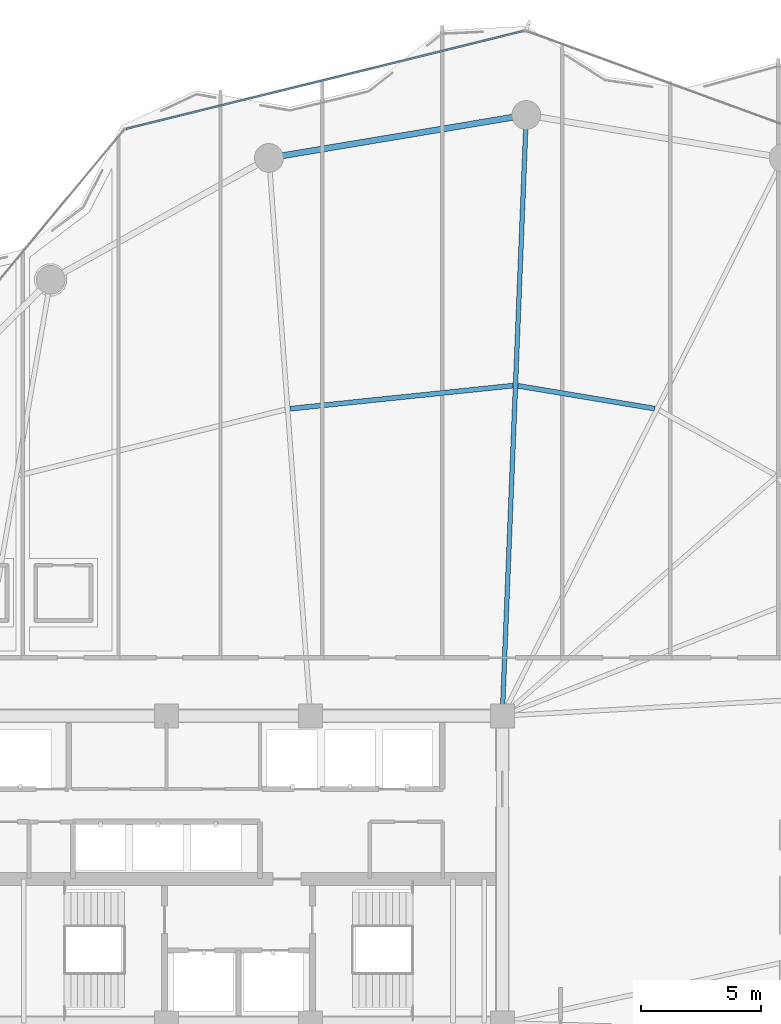
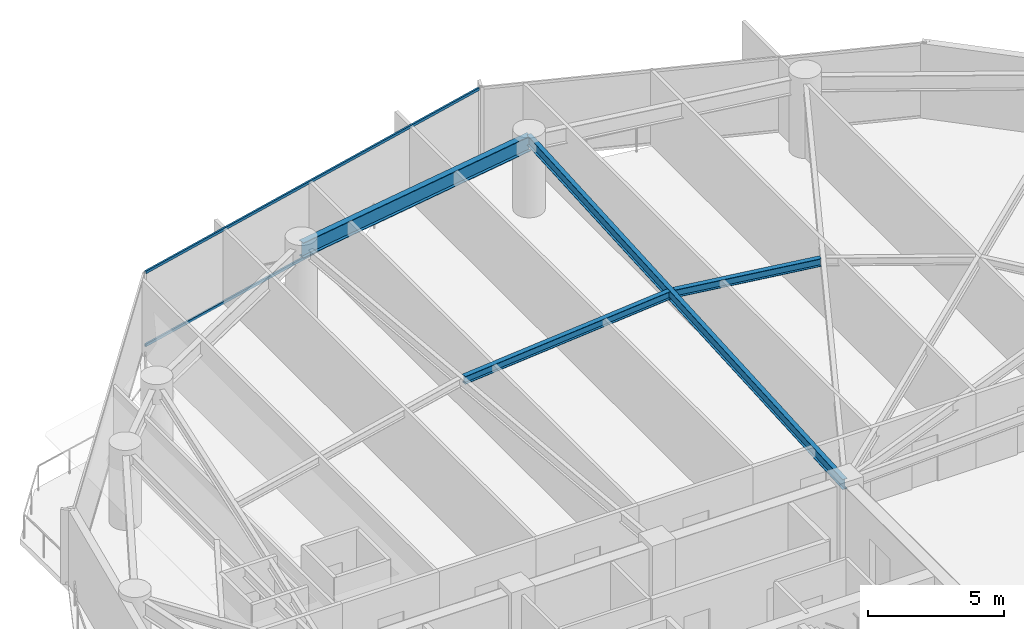
# One storey, part 18 of 28: 4 beams, 2 members, 1 element without a shape of its own.
"""IFC4 building model written with IfcOpenShell, lengths in metres."""

from ifc_helpers import new_model, si_unit, direction, frame, origin, origin_2d, place, context, subcontext, project, spatial, hollow_rectangle, i_section, extrude, material, layer, layer_set, material_profile, profile_set, type_object, element, aggregate, save


model = new_model("IFC4")

# Units and contexts
model_context = context("Model", 3, precision=1e-05, world=origin(), true_north=direction((0.0, 1.0)))
body_context = subcontext(model_context, "Body", "Model", "MODEL_VIEW")
ifc_project = project(units=[si_unit("LENGTHUNIT", "METRE"), si_unit("AREAUNIT", "SQUARE_METRE"), si_unit("VOLUMEUNIT", "CUBIC_METRE"), si_unit("PLANEANGLEUNIT", "RADIAN"), si_unit("MASSUNIT", "GRAM", prefix="KILO")], contexts=[model_context])

# Site, building, storey
site_placement = place(None, origin())
site = spatial("IfcSite", under=ifc_project, at=site_placement, CompositionType="ELEMENT")
building_placement = place(site_placement, origin())
building = spatial("IfcBuilding", under=site, at=building_placement, Name="Kazevale Care Tower and Concert Hall", CompositionType="ELEMENT")
storey_placement = place(building_placement, frame((0.0, 0.0, 106.199951171875)))
storey = spatial("IfcBuildingStorey", under=building, at=storey_placement, Name="L27", CompositionType="ELEMENT", Elevation=106.199951171875)

# Curtain wall, members
ifc_material_1 = material(Name="Aluminium 6063-T6 and Low-E Glass", Category="aluminium")
ifc_layer = layer(ifc_material_1, 0.179931640625)
ifc_layer_set = layer_set([ifc_layer], Name="Aluminium 6063-T6 and Low-E Glass")
curtain_wall_type = type_object("IfcCurtainWallType", Name="Convex Recessed Sunroom Curtain Wall CW-3", PredefinedType="NOTDEFINED", material=ifc_layer_set)
curtain_wall_placement = place(storey_placement, origin())
curtain_wall = element("IfcCurtainWall", 1, at=curtain_wall_placement, inside=storey, type_object=curtain_wall_type, Name="cw:L27:f15", PredefinedType="NOTDEFINED")
ifc_material_2 = material(Name="Aluminium 6063-T6", Category="aluminium")
ifc_material_profile_1 = material_profile(ifc_material_2, hollow_rectangle(XDim=0.074951171875, YDim=0.1201171875, WallThickness=0.00390625, at=origin_2d()), Name="ALU75x120x4")
ifc_profile_set_1 = profile_set([ifc_material_profile_1], Name="Aluminium 6063-T6")
member_type = type_object("IfcMemberType", Name="CW-3 Transom ALU75x120x4", PredefinedType="USERDEFINED", material=ifc_profile_set_1)
member_1_placement = place(storey_placement, frame((28.312744140625, 60.869873046875, 0.03759765625), z_axis=(0.970998321945, 0.239086299857, 0.0), x_axis=(-0.239086299857, 0.970998321945, 0.0)))
member_1 = element("IfcMember", 2, at=member_1_placement, type_object=member_type, Name="CW-3 transom 1.1", ObjectType="TRANSOM", PredefinedType="USERDEFINED", context=body_context, shape_type="SweptSolid", body=[
    extrude(hollow_rectangle(XDim=0.074951171875, YDim=0.1201171875, WallThickness=0.00390625, at=origin_2d()), origin(), (0.0, 0.0, 1.0), 17.061279296875),
])
member_2_placement = place(storey_placement, frame((28.312744140625, 60.869873046875, 3.322509765625), z_axis=(0.970998321945, 0.239086299857, 0.0), x_axis=(-0.239086299857, 0.970998321945, 0.0)))
member_2 = element("IfcMember", 3, at=member_2_placement, type_object=member_type, Name="CW-3 transom 1.2", ObjectType="TRANSOM", PredefinedType="USERDEFINED", context=body_context, shape_type="SweptSolid", body=[
    extrude(hollow_rectangle(XDim=0.074951171875, YDim=0.1201171875, WallThickness=0.00390625, at=origin_2d()), origin(), (0.0, 0.0, 1.0), 17.061279296875),
])
aggregate(curtain_wall, [member_1, member_2])

# Beams
ifc_material_3 = material(Name="Steel ASTM A572 Gr 50", Category="steel")
ifc_material_profile_2 = material_profile(ifc_material_3, i_section(OverallWidth=0.19091796875, OverallDepth=0.4599609375, WebThickness=0.010009765625, FlangeThickness=0.01611328125, at=origin_2d()), Name="W460x82")
ifc_profile_set_2 = profile_set([ifc_material_profile_2], Name="Steel ASTM A572 Gr 50")
beam_type_1 = type_object("IfcBeamType", Name="Radial Floor Beam W460x82", PredefinedType="BEAM", material=ifc_profile_set_2)
beam_1_placement = place(storey_placement, frame((44.0, 36.39990234375, 3.130126953125), z_axis=(0.039888311255, 0.99920414462, 0.0), x_axis=(-0.99920414462, 0.039888311255, 0.0)))
element("IfcBeam", 4, at=beam_1_placement, inside=storey, type_object=beam_type_1, Name="beam:L27:rad:05", PredefinedType="BEAM", context=body_context, shape_type="SweptSolid", body=[
    extrude(i_section(OverallWidth=0.19091796875, OverallDepth=0.4599609375, WebThickness=0.010009765625, FlangeThickness=0.01611328125, at=origin_2d()), origin(), (0.0, 0.0, 1.0), 25.070068359375),
])
ifc_material_profile_3 = material_profile(ifc_material_3, i_section(OverallWidth=0.205078125, OverallDepth=0.35400390625, WebThickness=0.009521484375, FlangeThickness=0.016845703125, at=origin_2d()), Name="W360x79")
ifc_profile_set_3 = profile_set([ifc_material_profile_3], Name="Steel ASTM A572 Gr 50")
beam_type_2 = type_object("IfcBeamType", Name="Secondary Floor Joist W360x79", PredefinedType="JOIST", material=ifc_profile_set_3)
beam_2_placement = place(storey_placement, frame((50.347900390625, 49.2099609375, 3.18310546875), z_axis=(-0.986366476547, 0.164563586324, 0.0), x_axis=(-0.164563586324, -0.986366476547, 0.0)))
element("IfcBeam", 5, at=beam_2_placement, inside=storey, type_object=beam_type_2, Name="beam:L27:joist:04", PredefinedType="JOIST", context=body_context, shape_type="SweptSolid", body=[
    extrude(i_section(OverallWidth=0.205078125, OverallDepth=0.35400390625, WebThickness=0.009521484375, FlangeThickness=0.016845703125, at=origin_2d()), origin(), (0.0, 0.0, 1.0), 5.7724609375),
])
beam_3_placement = place(storey_placement, frame((44.446044921875, 50.1669921875, 3.18310546875), z_axis=(-0.994674810104, -0.10306319491, 0.0), x_axis=(0.10306319491, -0.994674810104, 0.0)))
element("IfcBeam", 6, at=beam_3_placement, inside=storey, type_object=beam_type_2, Name="beam:L27:joist:05", PredefinedType="JOIST", context=body_context, shape_type="SweptSolid", body=[
    extrude(i_section(OverallWidth=0.205078125, OverallDepth=0.35400390625, WebThickness=0.009521484375, FlangeThickness=0.016845703125, at=origin_2d()), origin(), (0.0, 0.0, 1.0), 9.3427734375),
])
ifc_material_profile_4 = material_profile(ifc_material_3, i_section(OverallWidth=0.256103515625, OverallDepth=0.693115234375, WebThickness=0.014404296875, FlangeThickness=0.023681640625, at=origin_2d()), Name="W690x170")
ifc_profile_set_4 = profile_set([ifc_material_profile_4], Name="Steel ASTM A572 Gr 50")
beam_type_3 = type_object("IfcBeamType", Name="Waist Ring Beam W690x170", PredefinedType="BEAM", material=ifc_profile_set_4)
beam_4_placement = place(storey_placement, frame((45.0, 61.449951171875, 3.013427734375), z_axis=(-0.986368436187, -0.164551840139, 0.0), x_axis=(0.164551840139, -0.986368436187, 0.0)))
element("IfcBeam", 7, at=beam_4_placement, inside=storey, type_object=beam_type_3, Name="beam:L27:ring:05", PredefinedType="BEAM", context=body_context, shape_type="SweptSolid", body=[
    extrude(i_section(OverallWidth=0.256103515625, OverallDepth=0.693115234375, WebThickness=0.014404296875, FlangeThickness=0.023681640625, at=origin_2d()), origin(), (0.0, 0.0, 1.0), 10.878173828125),
])

save(model, "model.ifc")
